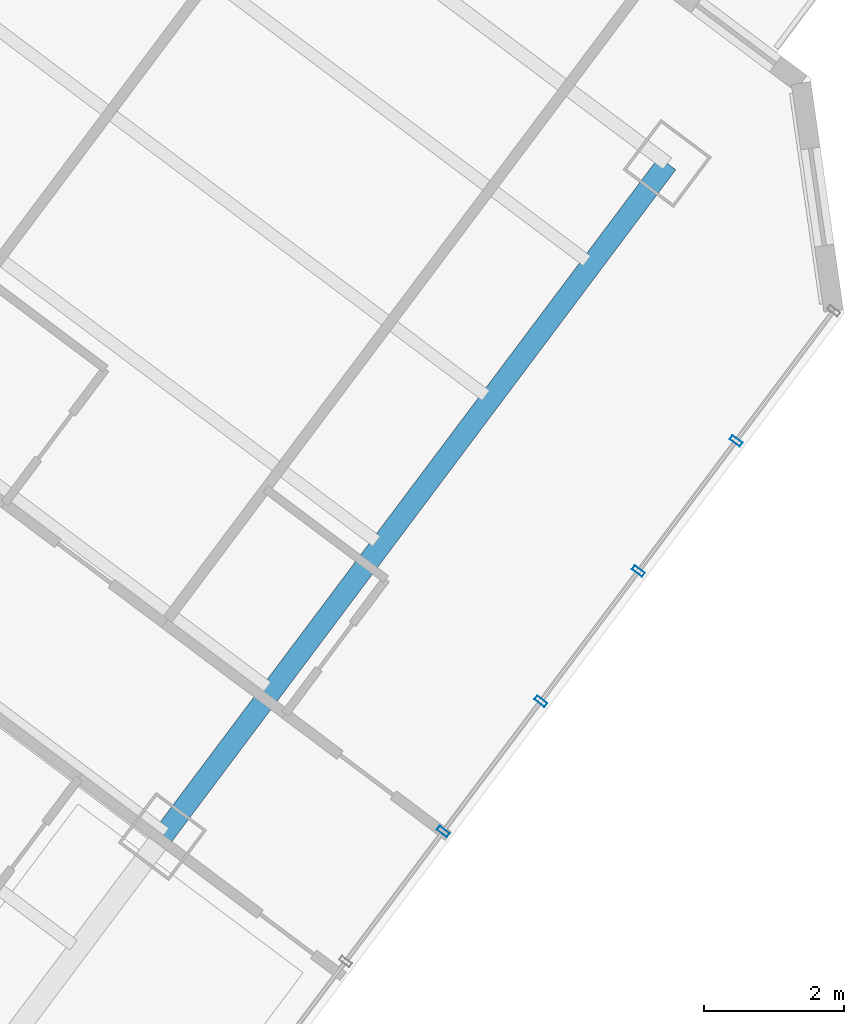
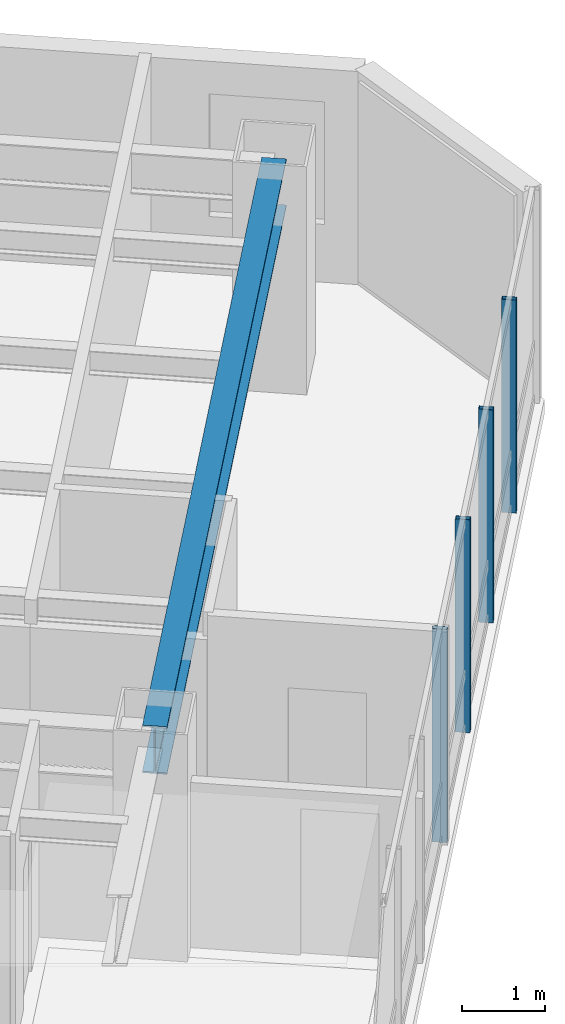
# One storey, part 10 of 30: 4 members, 1 beam, 1 element without a shape of its own.
"""IFC4 building model written with IfcOpenShell, lengths in metres."""

from ifc_helpers import new_model, si_unit, direction, frame, origin, origin_2d, place, context, subcontext, project, spatial, hollow_rectangle, i_section, extrude, material, layer, layer_set, material_profile, profile_set, type_object, element, aggregate, save


model = new_model("IFC4")

# Units and contexts
model_context = context("Model", 3, precision=1e-05, world=origin(), true_north=direction((0.0, 1.0)))
body_context = subcontext(model_context, "Body", "Model", "MODEL_VIEW")
ifc_project = project(units=[si_unit("LENGTHUNIT", "METRE"), si_unit("AREAUNIT", "SQUARE_METRE"), si_unit("VOLUMEUNIT", "CUBIC_METRE"), si_unit("PLANEANGLEUNIT", "RADIAN"), si_unit("MASSUNIT", "GRAM", prefix="KILO")], contexts=[model_context])

# Site, building, storey
site_placement = place(None, origin())
site = spatial("IfcSite", under=ifc_project, at=site_placement, CompositionType="ELEMENT")
building_placement = place(site_placement, origin())
building = spatial("IfcBuilding", under=site, at=building_placement, Name="Hatsunagi Terrace Concourse", CompositionType="ELEMENT")
storey_placement = place(building_placement, frame((0.0, 0.0, 74.60009765625)))
storey = spatial("IfcBuildingStorey", under=building, at=storey_placement, Name="L19", CompositionType="ELEMENT", Elevation=74.60009765625)

# Curtain wall, members
ifc_material_1 = material(Name="Anodised Aluminium Alloy 6063-T5", Category="aluminium")
ifc_layer = layer(ifc_material_1, 0.199951171875)
ifc_layer_set = layer_set([ifc_layer], Name="HotelFacade_CW02")
curtain_wall_type = type_object("IfcCurtainWallType", Name="HotelFacade_CW02", PredefinedType="NOTDEFINED", material=ifc_layer_set)
curtain_wall_placement = place(storey_placement, origin())
curtain_wall = element("IfcCurtainWall", 1, at=curtain_wall_placement, inside=storey, type_object=curtain_wall_type, Name="Unitised Curtain Wall CW-02 CW-L19-03", PredefinedType="NOTDEFINED")
ifc_material_2 = material(Name="Anodised Aluminium Alloy 6063-T5", Category="aluminium")
ifc_material_profile_1 = material_profile(ifc_material_2, hollow_rectangle(XDim=0.070068359375, YDim=0.179931640625, WallThickness=0.00390625, at=origin_2d()), Name="ALU-MUL-180x70x4")
ifc_profile_set_1 = profile_set([ifc_material_profile_1], Name="Anodised Aluminium Alloy 6063-T5")
member_type = type_object("IfcMemberType", Name="CurtainWallMullion_180x70", PredefinedType="MULLION", material=ifc_profile_set_1)
member_1_placement = place(storey_placement, frame((67.700927734375, 17.802001953125, 0.0), z_axis=(0.0, 0.0, 1.0), x_axis=(-0.599969314634, -0.800023013105, 0.0)))
member_1 = element("IfcMember", 2, at=member_1_placement, type_object=member_type, Name="Curtain Wall Mullion MUL-02", PredefinedType="MULLION", context=body_context, shape_type="SweptSolid", body=[
    extrude(hollow_rectangle(XDim=0.070068359375, YDim=0.179931640625, WallThickness=0.00390625, at=origin_2d()), origin(), (0.0, 0.0, 1.0), 3.1298828125),
])
member_2_placement = place(storey_placement, frame((66.30908203125, 15.945068359375, 0.0), z_axis=(0.0, 0.0, 1.0), x_axis=(-0.599969314634, -0.800023013105, 0.0)))
member_2 = element("IfcMember", 3, at=member_2_placement, type_object=member_type, Name="Curtain Wall Mullion MUL-02", PredefinedType="MULLION", context=body_context, shape_type="SweptSolid", body=[
    extrude(hollow_rectangle(XDim=0.070068359375, YDim=0.179931640625, WallThickness=0.00390625, at=origin_2d()), origin(), (0.0, 0.0, 1.0), 3.1298828125),
])
member_3_placement = place(storey_placement, frame((64.916015625, 14.089111328125, 0.0), z_axis=(0.0, 0.0, 1.0), x_axis=(-0.599969314634, -0.800023013105, 0.0)))
member_3 = element("IfcMember", 4, at=member_3_placement, type_object=member_type, Name="Curtain Wall Mullion MUL-02", PredefinedType="MULLION", context=body_context, shape_type="SweptSolid", body=[
    extrude(hollow_rectangle(XDim=0.070068359375, YDim=0.179931640625, WallThickness=0.00390625, at=origin_2d()), origin(), (0.0, 0.0, 1.0), 3.1298828125),
])
member_4_placement = place(storey_placement, frame((63.52392578125, 12.23193359375, 0.0), z_axis=(0.0, 0.0, 1.0), x_axis=(-0.599969314634, -0.800023013105, 0.0)))
member_4 = element("IfcMember", 5, at=member_4_placement, type_object=member_type, Name="Curtain Wall Mullion MUL-02", PredefinedType="MULLION", context=body_context, shape_type="SweptSolid", body=[
    extrude(hollow_rectangle(XDim=0.070068359375, YDim=0.179931640625, WallThickness=0.00390625, at=origin_2d()), origin(), (0.0, 0.0, 1.0), 3.1298828125),
])
aggregate(curtain_wall, [member_1, member_2, member_3, member_4])

# Beam
ifc_material_3 = material(Name="Steel SN490B", Category="steel")
ifc_material_profile_2 = material_profile(ifc_material_3, i_section(OverallWidth=0.300048828125, OverallDepth=0.699951171875, WebThickness=0.012939453125, FlangeThickness=0.02392578125, FilletRadius=0.02197265625, at=origin_2d()), Name="H-700x300x13x24")
ifc_profile_set_2 = profile_set([ifc_material_profile_2], Name="Steel SN490B")
beam_type = type_object("IfcBeamType", Name="HotelFloorGirder_H_700x300", PredefinedType="BEAM", material=ifc_profile_set_2)
beam_placement = place(storey_placement, frame((59.52001953125, 12.159912109375, 2.77978515625), z_axis=(0.59999348959, 0.800004882766, 0.0), x_axis=(-0.800004882766, 0.59999348959, 0.0)))
element("IfcBeam", 6, at=beam_placement, inside=storey, type_object=beam_type, Name="Beam G-04 BM-L19-SET-3B", PredefinedType="BEAM", context=body_context, shape_type="SweptSolid", body=[
    extrude(i_section(OverallWidth=0.300048828125, OverallDepth=0.699951171875, WebThickness=0.012939453125, FlangeThickness=0.02392578125, FilletRadius=0.02197265625, at=origin_2d()), origin(), (0.0, 0.0, 1.0), 12.0),
])

save(model, "model.ifc")
